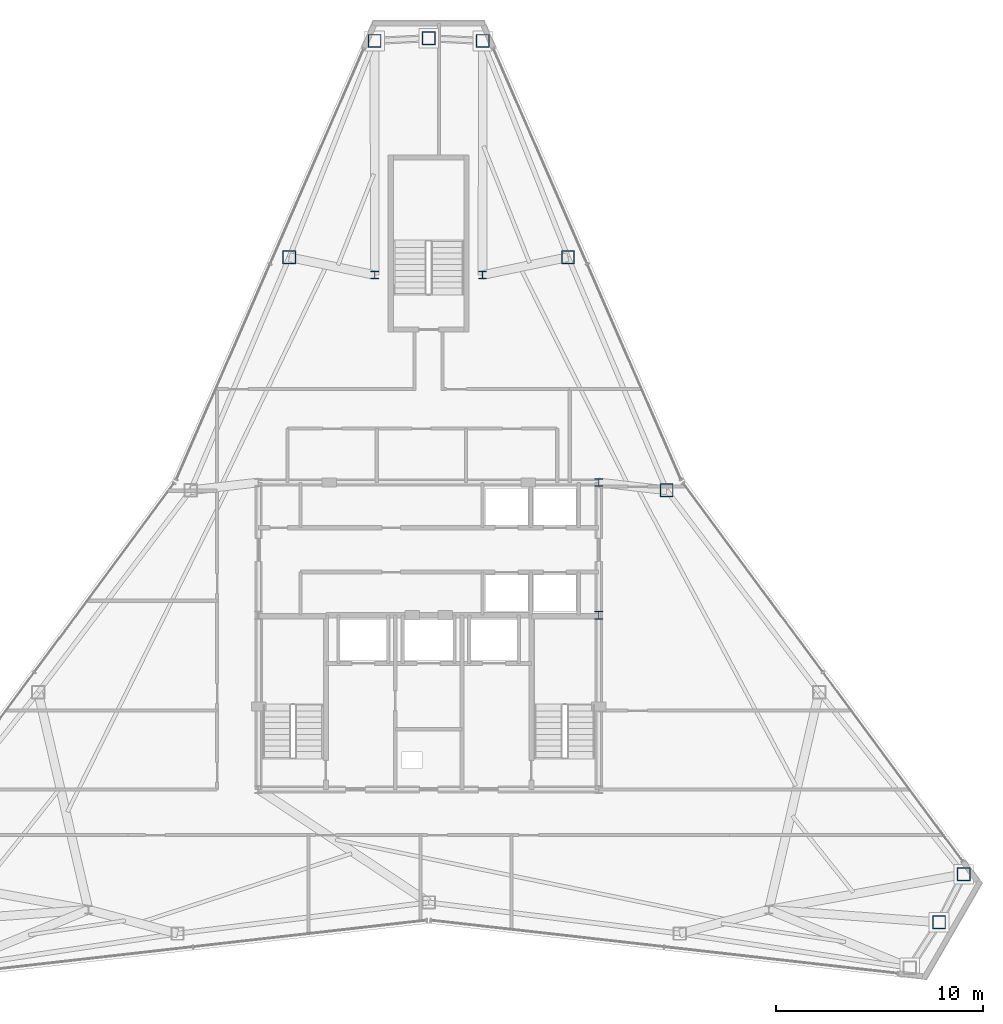
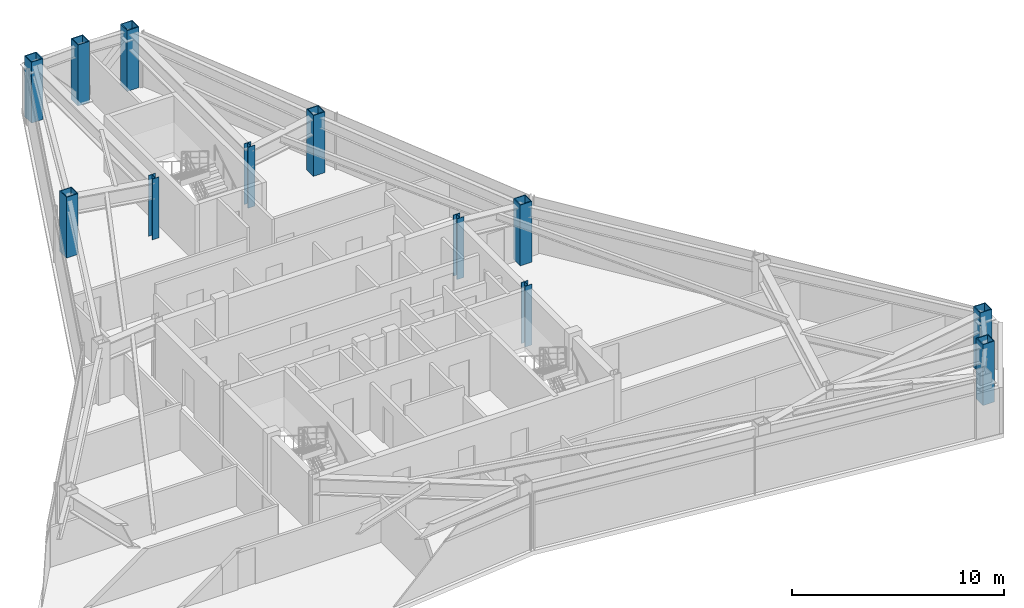
# One storey, part 2 of 11: 12 columns.
"""IFC4 building model written with IfcOpenShell, lengths in metres."""

from ifc_helpers import new_model, si_unit, direction, frame, origin, origin_2d, place, context, subcontext, project, spatial, hollow_rectangle, i_section, extrude, material, material_profile, profile_set, type_object, element, save


model = new_model("IFC4")

# Units and contexts
model_context = context("Model", 3, precision=1e-05, world=origin(), true_north=direction((0.0, 1.0)))
body_context = subcontext(model_context, "Body", "Model", "MODEL_VIEW")
ifc_project = project(units=[si_unit("LENGTHUNIT", "METRE"), si_unit("AREAUNIT", "SQUARE_METRE"), si_unit("VOLUMEUNIT", "CUBIC_METRE"), si_unit("PLANEANGLEUNIT", "RADIAN"), si_unit("MASSUNIT", "GRAM", prefix="KILO")], contexts=[model_context])

# Site, building, storey
site_placement = place(None, origin())
site = spatial("IfcSite", under=ifc_project, at=site_placement, CompositionType="ELEMENT")
building_placement = place(site_placement, origin())
building = spatial("IfcBuilding", under=site, at=building_placement, Name="Varakhsha Concourse Tower", CompositionType="ELEMENT")
storey_placement = place(building_placement, frame((0.0, 0.0, 279.5)))
storey = spatial("IfcBuildingStorey", under=building, at=storey_placement, Name="L79", CompositionType="ELEMENT", Elevation=279.5)

# Columns
ifc_material_1 = material(Name="Structural Steel ASTM A992 Grade 50", Category="steel")
ifc_material_profile_1 = material_profile(ifc_material_1, i_section(OverallWidth=0.3740234375, OverallDepth=0.3720703125, WebThickness=0.01611328125, FlangeThickness=0.02587890625, at=origin_2d()), Name="W14X132")
ifc_profile_set_1 = profile_set([ifc_material_profile_1], Name="Structural Steel ASTM A992 Grade 50")
column_type_1 = type_object("IfcColumnType", Name="CL-CORE-W14X132", PredefinedType="COLUMN", material=ifc_profile_set_1)
for number, where, z_axis, x_axis, name in (
    (1, (48.199951171875, 24.800048828125, 0.0), (0.0, 0.0, 1.0), (1.0, 0.0, 0.0), "L79 Core Column CC-ME"),
    (2, (48.199951171875, 31.199951171875, 0.0), (0.0, 0.0, 1.0), (1.0, 0.0, 0.0), "L79 Core Column CC-NE"),
    (3, (37.39990234375, 41.199951171875, 0.0), (0.0, 0.0, 1.0), (1.0, 0.0, 0.0), "L79 Core Column NS-W"),
    (4, (42.60009765625, 41.199951171875, 0.0), (0.0, 0.0, 1.0), (1.0, 0.0, 0.0), "L79 Core Column NS-E"),
):
    element("IfcColumn", number, at=place(storey_placement, frame(where, z_axis=z_axis, x_axis=x_axis)), inside=storey, type_object=column_type_1, Name=name, PredefinedType="COLUMN", context=body_context, shape_type="SweptSolid", body=[
        extrude(i_section(OverallWidth=0.3740234375, OverallDepth=0.3720703125, WebThickness=0.01611328125, FlangeThickness=0.02587890625, at=origin_2d()), origin(), (0.0, 0.0, 1.0), 3.5),
    ])
ifc_material_2 = material(Name="Structural Steel ASTM A572 Grade 50", Category="steel")
ifc_material_profile_2 = material_profile(ifc_material_2, hollow_rectangle(XDim=0.639892578125, YDim=0.639892578125, WallThickness=0.044921875, at=origin_2d()), Name="BOX 640x640x45")
ifc_profile_set_2 = profile_set([ifc_material_profile_2], Name="Structural Steel ASTM A572 Grade 50")
column_type_2 = type_object("IfcColumnType", Name="CL-TUBE-640", PredefinedType="COLUMN", material=ifc_profile_set_2)
for number, where, z_axis, x_axis, name in (
    (5, (42.607177734375, 52.489013671875, 0.0), (0.0, 0.0, 1.0), (1.0, 0.0, 0.0), "L79 Framed-Tube Column TC01"),
    (6, (40.0, 52.61669921875, 0.0), (0.0, 0.0, 1.0), (1.0, 0.0, 0.0), "L79 Framed-Tube Column TC02"),
    (7, (37.392822265625, 52.489013671875, 0.0), (0.0, 0.0, 1.0), (1.0, 0.0, 0.0), "L79 Framed-Tube Column TC03"),
    (8, (33.28271484375, 42.06201171875, 0.0), (0.0, 0.0, 1.0), (1.0, 0.0, 0.0), "L79 Framed-Tube Column TC04"),
    (9, (64.609619140625, 9.99169921875, 0.0), (0.0, 0.0, 1.0), (1.0, 0.0, 0.0), "L79 Framed-Tube Column TC14"),
    (10, (65.802490234375, 12.313232421875, 0.0), (0.0, 0.0, 1.0), (1.0, 0.0, 0.0), "L79 Framed-Tube Column TC15"),
    (11, (51.471923828125, 30.8232421875, 0.0), (0.0, 0.0, 1.0), (1.0, 0.0, 0.0), "L79 Framed-Tube Column TC17"),
    (12, (46.71728515625, 42.06201171875, 0.0), (0.0, 0.0, 1.0), (1.0, 0.0, 0.0), "L79 Framed-Tube Column TC18"),
):
    element("IfcColumn", number, at=place(storey_placement, frame(where, z_axis=z_axis, x_axis=x_axis)), inside=storey, type_object=column_type_2, Name=name, PredefinedType="COLUMN", context=body_context, shape_type="SweptSolid", body=[
        extrude(hollow_rectangle(XDim=0.639892578125, YDim=0.639892578125, WallThickness=0.044921875, at=origin_2d()), origin(), (0.0, 0.0, 1.0), 3.5),
    ])

save(model, "model.ifc")
